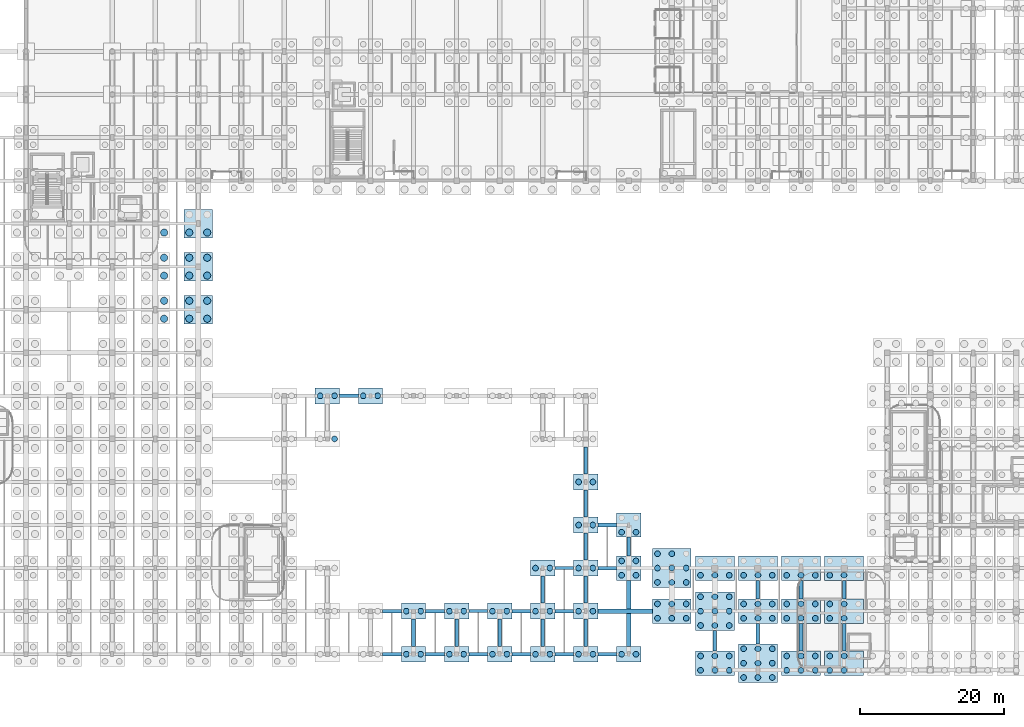
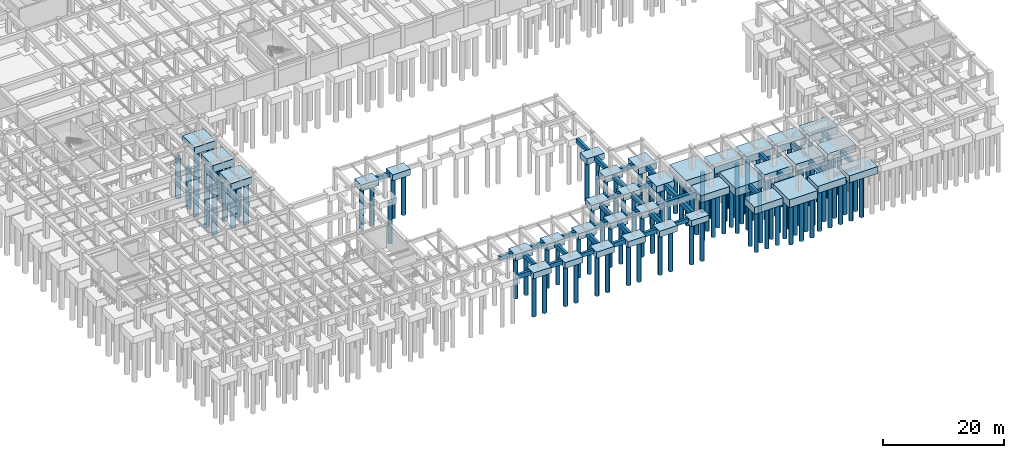
# One storey, part 3 of 32: 131 piles, 71 footings.
"""IFC4 building model written with IfcOpenShell, lengths in metres."""

from ifc_helpers import new_model, si_unit, direction, frame, origin, origin_2d, place, context, subcontext, project, spatial, rectangle, circle, extrude, material, material_profile, profile_set, type_object, element, save


model = new_model("IFC4")

# Units and contexts
model_context = context("Model", 3, precision=1e-05, world=origin(), true_north=direction((0.0, 1.0)))
body_context = subcontext(model_context, "Body", "Model", "MODEL_VIEW")
ifc_project = project(units=[si_unit("LENGTHUNIT", "METRE"), si_unit("AREAUNIT", "SQUARE_METRE"), si_unit("VOLUMEUNIT", "CUBIC_METRE"), si_unit("PLANEANGLEUNIT", "RADIAN"), si_unit("MASSUNIT", "GRAM", prefix="KILO")], contexts=[model_context])

# Site, building, storey
site_placement = place(None, origin())
site = spatial("IfcSite", under=ifc_project, at=site_placement, CompositionType="ELEMENT")
building_placement = place(site_placement, origin())
building = spatial("IfcBuilding", under=site, at=building_placement, Name="Varnakota Square Police Headquarters", CompositionType="ELEMENT")
storey_placement = place(building_placement, frame((0.0, 0.0, -4.5)))
storey = spatial("IfcBuildingStorey", under=building, at=storey_placement, Name="B1", CompositionType="ELEMENT", Elevation=-4.5)

# Footings
ifc_material_1 = material(Name="Concrete M40", Category="concrete")
ifc_material_profile_1 = material_profile(ifc_material_1, rectangle(XDim=0.5, YDim=0.89990234375, at=origin_2d()), Name="GB 500x900")
ifc_profile_set_1 = profile_set([ifc_material_profile_1], Name="Concrete M40")
footing_type_1 = type_object("IfcFootingType", Name="FT-GB1", PredefinedType="FOOTING_BEAM", material=ifc_profile_set_1)
for number, where, z_axis, x_axis, name in (
    (1, (67.699951171875, 3.0, -0.449951171875), (1.0, 0.0, 0.0), (0.0, 1.0, 0.0), "Ground tie beam GB-0010"),
    (2, (73.699951171875, 3.0, -0.449951171875), (1.0, 0.0, 0.0), (0.0, 1.0, 0.0), "Ground tie beam GB-0011"),
    (3, (85.699951171875, 3.0, -0.449951171875), (1.0, 0.0, 0.0), (0.0, 1.0, 0.0), "Ground tie beam GB-0013"),
    (4, (91.699951171875, 3.0, -0.449951171875), (1.0, 0.0, 0.0), (0.0, 1.0, 0.0), "Ground tie beam GB-0014"),
    (5, (67.699951171875, 9.0, -0.449951171875), (1.0, 0.0, 0.0), (0.0, 1.0, 0.0), "Ground tie beam GB-0025"),
    (6, (73.699951171875, 9.0, -0.449951171875), (1.0, 0.0, 0.0), (0.0, 1.0, 0.0), "Ground tie beam GB-0026"),
    (7, (85.699951171875, 9.0, -0.449951171875), (1.0, 0.0, 0.0), (0.0, 1.0, 0.0), "Ground tie beam GB-0028"),
    (8, (91.699951171875, 9.0, -0.449951171875), (1.0, 0.0, 0.0), (0.0, 1.0, 0.0), "Ground tie beam GB-0029"),
    (9, (97.699951171875, 15.0, -0.449951171875), (1.0, 0.0, 0.0), (0.0, 1.0, 0.0), "Ground tie beam GB-0040"),
    (10, (97.699951171875, 21.0, -0.449951171875), (1.0, 0.0, 0.0), (0.0, 1.0, 0.0), "Ground tie beam GB-0043"),
    (11, (61.699951171875, 39.0, -0.449951171875), (1.0, 0.0, 0.0), (0.0, 1.0, 0.0), "Ground tie beam GB-0050"),
):
    element("IfcFooting", number, at=place(storey_placement, frame(where, z_axis=z_axis, x_axis=x_axis)), inside=storey, type_object=footing_type_1, Name=name, PredefinedType="FOOTING_BEAM", context=body_context, shape_type="SweptSolid", body=[
        extrude(rectangle(XDim=0.5, YDim=0.89990234375, at=origin_2d()), origin(), (0.0, 0.0, 1.0), 2.60009765625),
    ])
for number, where, z_axis, x_axis, name in (
    (12, (72.0, 4.10009765625, -0.449951171875), (0.0, 1.0, 0.0), (-1.0, 0.0, 0.0), "Ground tie beam GB-0266"),
    (13, (78.0, 4.10009765625, -0.449951171875), (0.0, 1.0, 0.0), (-1.0, 0.0, 0.0), "Ground tie beam GB-0271"),
    (14, (84.0, 4.10009765625, -0.449951171875), (0.0, 1.0, 0.0), (-1.0, 0.0, 0.0), "Ground tie beam GB-0276"),
    (15, (90.0, 4.10009765625, -0.449951171875), (0.0, 1.0, 0.0), (-1.0, 0.0, 0.0), "Ground tie beam GB-0281"),
    (16, (90.0, 10.10009765625, -0.449951171875), (0.0, 1.0, 0.0), (-1.0, 0.0, 0.0), "Ground tie beam GB-0282"),
    (17, (96.0, 4.10009765625, -0.449951171875), (0.0, 1.0, 0.0), (-1.0, 0.0, 0.0), "Ground tie beam GB-0288"),
    (18, (96.0, 10.10009765625, -0.449951171875), (0.0, 1.0, 0.0), (-1.0, 0.0, 0.0), "Ground tie beam GB-0289"),
    (19, (96.0, 16.10009765625, -0.449951171875), (0.0, 1.0, 0.0), (-1.0, 0.0, 0.0), "Ground tie beam GB-0290"),
    (20, (96.0, 22.10009765625, -0.449951171875), (0.0, 1.0, 0.0), (-1.0, 0.0, 0.0), "Ground tie beam GB-0291"),
    (21, (96.0, 28.10009765625, -0.449951171875), (0.0, 1.0, 0.0), (-1.0, 0.0, 0.0), "Ground tie beam GB-0292"),
):
    element("IfcFooting", number, at=place(storey_placement, frame(where, z_axis=z_axis, x_axis=x_axis)), inside=storey, type_object=footing_type_1, Name=name, PredefinedType="FOOTING_BEAM", context=body_context, shape_type="SweptSolid", body=[
        extrude(rectangle(XDim=0.5, YDim=0.89990234375, at=origin_2d()), origin(), (0.0, 0.0, 1.0), 3.7998046875),
    ])
footing_1_placement = place(storey_placement, frame((102.0, 16.699951171875, -0.449951171875), z_axis=(0.0, 1.0, 0.0), x_axis=(-1.0, 0.0, 0.0)))
element("IfcFooting", 22, at=footing_1_placement, inside=storey, type_object=footing_type_1, Name="Ground tie beam GB-0298", PredefinedType="FOOTING_BEAM", context=body_context, shape_type="SweptSolid", body=[
    extrude(rectangle(XDim=0.5, YDim=0.89990234375, at=origin_2d()), origin(), (0.0, 0.0, 1.0), 2.60009765625),
])
for number, where, z_axis, x_axis, name in (
    (23, (114.0, 3.449951171875, -0.449951171875), (0.0, 1.0, 0.0), (-1.0, 0.0, 0.0), "Ground tie beam GB-0304"),
    (24, (120.0, 4.449951171875, -0.449951171875), (0.0, 1.0, 0.0), (-1.0, 0.0, 0.0), "Ground tie beam GB-0311"),
):
    element("IfcFooting", number, at=place(storey_placement, frame(where, z_axis=z_axis, x_axis=x_axis)), inside=storey, type_object=footing_type_1, Name=name, PredefinedType="FOOTING_BEAM", context=body_context, shape_type="SweptSolid", body=[
        extrude(rectangle(XDim=0.5, YDim=0.89990234375, at=origin_2d()), origin(), (0.0, 0.0, 1.0), 2.85009765625),
    ])
footing_2_placement = place(storey_placement, frame((120.0, 10.699951171875, -0.449951171875), z_axis=(0.0, 1.0, 0.0), x_axis=(-1.0, 0.0, 0.0)))
element("IfcFooting", 25, at=footing_2_placement, inside=storey, type_object=footing_type_1, Name="Ground tie beam GB-0312", PredefinedType="FOOTING_BEAM", context=body_context, shape_type="SweptSolid", body=[
    extrude(rectangle(XDim=0.5, YDim=0.89990234375, at=origin_2d()), origin(), (0.0, 0.0, 1.0), 2.60009765625),
])
footing_3_placement = place(storey_placement, frame((126.0, 3.449951171875, -0.449951171875), z_axis=(0.0, 1.0, 0.0), x_axis=(-1.0, 0.0, 0.0)))
element("IfcFooting", 26, at=footing_3_placement, inside=storey, type_object=footing_type_1, Name="Ground tie beam GB-0316", PredefinedType="FOOTING_BEAM", context=body_context, shape_type="SweptSolid", body=[
    extrude(rectangle(XDim=0.5, YDim=0.89990234375, at=origin_2d()), origin(), (0.0, 0.0, 1.0), 3.85009765625),
])
footing_4_placement = place(storey_placement, frame((126.0, 10.699951171875, -0.449951171875), z_axis=(0.0, 1.0, 0.0), x_axis=(-1.0, 0.0, 0.0)))
element("IfcFooting", 27, at=footing_4_placement, inside=storey, type_object=footing_type_1, Name="Ground tie beam GB-0317", PredefinedType="FOOTING_BEAM", context=body_context, shape_type="SweptSolid", body=[
    extrude(rectangle(XDim=0.5, YDim=0.89990234375, at=origin_2d()), origin(), (0.0, 0.0, 1.0), 2.60009765625),
])
footing_5_placement = place(storey_placement, frame((132.0, 3.449951171875, -0.449951171875), z_axis=(0.0, 1.0, 0.0), x_axis=(-1.0, 0.0, 0.0)))
element("IfcFooting", 28, at=footing_5_placement, inside=storey, type_object=footing_type_1, Name="Ground tie beam GB-0321", PredefinedType="FOOTING_BEAM", context=body_context, shape_type="SweptSolid", body=[
    extrude(rectangle(XDim=0.5, YDim=0.89990234375, at=origin_2d()), origin(), (0.0, 0.0, 1.0), 3.85009765625),
])
footing_6_placement = place(storey_placement, frame((132.0, 10.699951171875, -0.449951171875), z_axis=(0.0, 1.0, 0.0), x_axis=(-1.0, 0.0, 0.0)))
element("IfcFooting", 29, at=footing_6_placement, inside=storey, type_object=footing_type_1, Name="Ground tie beam GB-0322", PredefinedType="FOOTING_BEAM", context=body_context, shape_type="SweptSolid", body=[
    extrude(rectangle(XDim=0.5, YDim=0.89990234375, at=origin_2d()), origin(), (0.0, 0.0, 1.0), 2.60009765625),
])
ifc_material_profile_2 = material_profile(ifc_material_1, rectangle(XDim=0.60009765625, YDim=1.0, at=origin_2d()), Name="GB 600x1000")
ifc_profile_set_2 = profile_set([ifc_material_profile_2], Name="Concrete M40")
footing_type_2 = type_object("IfcFootingType", Name="FT-GB2", PredefinedType="FOOTING_BEAM", material=ifc_profile_set_2)
footing_7_placement = place(storey_placement, frame((97.699951171875, 9.0, -0.5), z_axis=(1.0, 0.0, 0.0), x_axis=(0.0, 1.0, 0.0)))
element("IfcFooting", 30, at=footing_7_placement, inside=storey, type_object=footing_type_2, Name="Ground tie beam GB-0030", PredefinedType="FOOTING_BEAM", context=body_context, shape_type="SweptSolid", body=[
    extrude(rectangle(XDim=0.60009765625, YDim=1.0, at=origin_2d()), origin(), (0.0, 0.0, 1.0), 7.60009765625),
])
footing_8_placement = place(storey_placement, frame((102.0, 4.10009765625, -0.5), z_axis=(0.0, 1.0, 0.0), x_axis=(-1.0, 0.0, 0.0)))
element("IfcFooting", 31, at=footing_8_placement, inside=storey, type_object=footing_type_2, Name="Ground tie beam GB-0297", PredefinedType="FOOTING_BEAM", context=body_context, shape_type="SweptSolid", body=[
    extrude(rectangle(XDim=0.60009765625, YDim=1.0, at=origin_2d()), origin(), (0.0, 0.0, 1.0), 9.199951171875),
])
ifc_material_profile_3 = material_profile(ifc_material_1, rectangle(XDim=0.449951171875, YDim=0.800048828125, at=origin_2d()), Name="GB 450x800")
ifc_profile_set_3 = profile_set([ifc_material_profile_3], Name="Concrete M40")
footing_type_3 = type_object("IfcFootingType", Name="FT-GB3", PredefinedType="FOOTING_BEAM", material=ifc_profile_set_3)
for number, where, z_axis, x_axis, name in (
    (32, (79.699951171875, 3.0, -0.39990234375), (1.0, 0.0, 0.0), (0.0, 1.0, 0.0), "Ground tie beam GB-0012"),
    (33, (97.699951171875, 3.0, -0.39990234375), (1.0, 0.0, 0.0), (0.0, 1.0, 0.0), "Ground tie beam GB-0015"),
    (34, (79.699951171875, 9.0, -0.39990234375), (1.0, 0.0, 0.0), (0.0, 1.0, 0.0), "Ground tie beam GB-0027"),
    (35, (91.699951171875, 15.0, -0.39990234375), (1.0, 0.0, 0.0), (0.0, 1.0, 0.0), "Ground tie beam GB-0039"),
):
    element("IfcFooting", number, at=place(storey_placement, frame(where, z_axis=z_axis, x_axis=x_axis)), inside=storey, type_object=footing_type_3, Name=name, PredefinedType="FOOTING_BEAM", context=body_context, shape_type="SweptSolid", body=[
        extrude(rectangle(XDim=0.449951171875, YDim=0.800048828125, at=origin_2d()), origin(), (0.0, 0.0, 1.0), 2.60009765625),
    ])
footing_type_4 = type_object("IfcFootingType", Name="FT-PC2", PredefinedType="PILE_CAP", material=ifc_material_1)
for number, where, z_axis, x_axis, name in (
    (36, (60.0, 39.0, -1.2001953125), (0.0, 0.0, 1.0), (1.0, 0.0, 0.0), "Pile cap CAP-X0600-Y0390"),
    (37, (66.0, 39.0, -1.2001953125), (0.0, 0.0, 1.0), (1.0, 0.0, 0.0), "Pile cap CAP-X0660-Y0390"),
    (38, (72.0, 3.0, -1.2001953125), (0.0, 0.0, 1.0), (1.0, 0.0, 0.0), "Pile cap CAP-X0720-Y0030"),
    (39, (72.0, 9.0, -1.2001953125), (0.0, 0.0, 1.0), (1.0, 0.0, 0.0), "Pile cap CAP-X0720-Y0090"),
    (40, (78.0, 3.0, -1.2001953125), (0.0, 0.0, 1.0), (1.0, 0.0, 0.0), "Pile cap CAP-X0780-Y0030"),
    (41, (78.0, 9.0, -1.2001953125), (0.0, 0.0, 1.0), (1.0, 0.0, 0.0), "Pile cap CAP-X0780-Y0090"),
    (42, (84.0, 3.0, -1.2001953125), (0.0, 0.0, 1.0), (1.0, 0.0, 0.0), "Pile cap CAP-X0840-Y0030"),
    (43, (84.0, 9.0, -1.2001953125), (0.0, 0.0, 1.0), (1.0, 0.0, 0.0), "Pile cap CAP-X0840-Y0090"),
    (44, (90.0, 3.0, -1.2001953125), (0.0, 0.0, 1.0), (1.0, 0.0, 0.0), "Pile cap CAP-X0900-Y0030"),
    (45, (90.0, 9.0, -1.2001953125), (0.0, 0.0, 1.0), (1.0, 0.0, 0.0), "Pile cap CAP-X0900-Y0090"),
    (46, (90.0, 15.0, -1.2001953125), (0.0, 0.0, 1.0), (1.0, 0.0, 0.0), "Pile cap CAP-X0900-Y0150"),
    (47, (96.0, 3.0, -1.2001953125), (0.0, 0.0, 1.0), (1.0, 0.0, 0.0), "Pile cap CAP-X0960-Y0030"),
    (48, (96.0, 9.0, -1.2001953125), (0.0, 0.0, 1.0), (1.0, 0.0, 0.0), "Pile cap CAP-X0960-Y0090"),
    (49, (96.0, 15.0, -1.2001953125), (0.0, 0.0, 1.0), (1.0, 0.0, 0.0), "Pile cap CAP-X0960-Y0150"),
    (50, (96.0, 21.0, -1.2001953125), (0.0, 0.0, 1.0), (1.0, 0.0, 0.0), "Pile cap CAP-X0960-Y0210"),
    (51, (96.0, 27.0, -1.2001953125), (0.0, 0.0, 1.0), (1.0, 0.0, 0.0), "Pile cap CAP-X0960-Y0270"),
    (52, (102.0, 3.0, -1.2001953125), (0.0, 0.0, 1.0), (1.0, 0.0, 0.0), "Pile cap CAP-X1020-Y0030"),
):
    element("IfcFooting", number, at=place(storey_placement, frame(where, z_axis=z_axis, x_axis=x_axis)), inside=storey, type_object=footing_type_4, Name=name, PredefinedType="PILE_CAP", context=body_context, shape_type="SweptSolid", body=[
        extrude(rectangle(XDim=3.39990234375, YDim=2.199951171875, at=origin_2d()), origin(), (0.0, 0.0, 1.0), 1.199951171875),
    ])
footing_type_5 = type_object("IfcFootingType", Name="FT-PC4", PredefinedType="PILE_CAP", material=ifc_material_1)
for number, where, z_axis, x_axis, name in (
    (53, (102.0, 15.0, -1.2998046875), (0.0, 0.0, 1.0), (1.0, 0.0, 0.0), "Pile cap CAP-X1020-Y0150"),
    (54, (102.0, 21.0, -1.2998046875), (0.0, 0.0, 1.0), (1.0, 0.0, 0.0), "Pile cap CAP-X1020-Y0210"),
):
    element("IfcFooting", number, at=place(storey_placement, frame(where, z_axis=z_axis, x_axis=x_axis)), inside=storey, type_object=footing_type_5, Name=name, PredefinedType="PILE_CAP", context=body_context, shape_type="SweptSolid", body=[
        extrude(rectangle(XDim=3.39990234375, YDim=3.39990234375, at=origin_2d()), origin(), (0.0, 0.0, 1.0), 1.300048828125),
    ])
ifc_material_2 = material(Name="Concrete M50", Category="concrete")
footing_type_6 = type_object("IfcFootingType", Name="FT-PC6", PredefinedType="PILE_CAP", material=ifc_material_2)
for number, where, z_axis, x_axis, name in (
    (55, (42.0, 51.0, -1.39990234375), (0.0, 0.0, 1.0), (1.0, 0.0, 0.0), "Pile cap CAP-X0420-Y0510"),
    (56, (42.0, 57.0, -1.39990234375), (0.0, 0.0, 1.0), (1.0, 0.0, 0.0), "Pile cap CAP-X0420-Y0570"),
    (57, (42.0, 63.0, -1.39990234375), (0.0, 0.0, 1.0), (1.0, 0.0, 0.0), "Pile cap CAP-X0420-Y0630"),
):
    element("IfcFooting", number, at=place(storey_placement, frame(where, z_axis=z_axis, x_axis=x_axis)), inside=storey, type_object=footing_type_6, Name=name, PredefinedType="PILE_CAP", context=body_context, shape_type="SweptSolid", body=[
        extrude(rectangle(XDim=4.0, YDim=4.0, at=origin_2d()), origin(), (0.0, 0.0, 1.0), 1.39990234375),
    ])
footing_type_7 = type_object("IfcFootingType", Name="FT-PC7", PredefinedType="PILE_CAP", material=ifc_material_2)
for number, where, z_axis, x_axis, name in (
    (58, (108.0, 9.0, -1.39990234375), (0.0, 0.0, 1.0), (1.0, 0.0, 0.0), "Pile cap CAP-X1080-Y0090"),
    (59, (114.0, 1.75, -1.39990234375), (0.0, 0.0, 1.0), (1.0, 0.0, 0.0), "Pile cap CAP-X1140-Y0008"),
    (60, (114.0, 15.0, -1.39990234375), (0.0, 0.0, 1.0), (1.0, 0.0, 0.0), "Pile cap CAP-X1140-Y0150"),
    (61, (120.0, 9.0, -1.39990234375), (0.0, 0.0, 1.0), (1.0, 0.0, 0.0), "Pile cap CAP-X1200-Y0090"),
    (62, (120.0, 15.0, -1.39990234375), (0.0, 0.0, 1.0), (1.0, 0.0, 0.0), "Pile cap CAP-X1200-Y0150"),
    (63, (126.0, 1.75, -1.39990234375), (0.0, 0.0, 1.0), (1.0, 0.0, 0.0), "Pile cap CAP-X1260-Y0008"),
    (64, (126.0, 9.0, -1.39990234375), (0.0, 0.0, 1.0), (1.0, 0.0, 0.0), "Pile cap CAP-X1260-Y0090"),
    (65, (126.0, 15.0, -1.39990234375), (0.0, 0.0, 1.0), (1.0, 0.0, 0.0), "Pile cap CAP-X1260-Y0150"),
    (66, (132.0, 1.75, -1.39990234375), (0.0, 0.0, 1.0), (1.0, 0.0, 0.0), "Pile cap CAP-X1320-Y0008"),
    (67, (132.0, 9.0, -1.39990234375), (0.0, 0.0, 1.0), (1.0, 0.0, 0.0), "Pile cap CAP-X1320-Y0090"),
    (68, (132.0, 15.0, -1.39990234375), (0.0, 0.0, 1.0), (1.0, 0.0, 0.0), "Pile cap CAP-X1320-Y0150"),
):
    element("IfcFooting", number, at=place(storey_placement, frame(where, z_axis=z_axis, x_axis=x_axis)), inside=storey, type_object=footing_type_7, Name=name, PredefinedType="PILE_CAP", context=body_context, shape_type="SweptSolid", body=[
        extrude(rectangle(XDim=5.39990234375, YDim=3.39990234375, at=origin_2d()), origin(), (0.0, 0.0, 1.0), 1.39990234375),
    ])
footing_type_8 = type_object("IfcFootingType", Name="FT-PC9", PredefinedType="PILE_CAP", material=ifc_material_2)
for number, where, z_axis, x_axis, name in (
    (69, (108.0, 15.0, -1.60009765625), (0.0, 0.0, 1.0), (1.0, 0.0, 0.0), "Pile cap CAP-X1080-Y0150"),
    (70, (114.0, 9.0, -1.60009765625), (0.0, 0.0, 1.0), (1.0, 0.0, 0.0), "Pile cap CAP-X1140-Y0090"),
    (71, (120.0, 1.75, -1.60009765625), (0.0, 0.0, 1.0), (1.0, 0.0, 0.0), "Pile cap CAP-X1200-Y0008"),
):
    element("IfcFooting", number, at=place(storey_placement, frame(where, z_axis=z_axis, x_axis=x_axis)), inside=storey, type_object=footing_type_8, Name=name, PredefinedType="PILE_CAP", context=body_context, shape_type="SweptSolid", body=[
        extrude(rectangle(XDim=5.39990234375, YDim=5.39990234375, at=origin_2d()), origin(), (0.0, 0.0, 1.0), 1.60009765625),
    ])

# Piles
ifc_material_profile_4 = material_profile(ifc_material_2, circle(Radius=0.5, at=origin_2d()), Name="BORED PILE 1000")
ifc_profile_set_4 = profile_set([ifc_material_profile_4], Name="Concrete M50")
pile_type_1 = type_object("IfcPileType", Name="PILE-D1000", PredefinedType="BORED", material=ifc_profile_set_4)
for number, where, z_axis, x_axis, name in (
    (72, (37.25, 49.75, -1.300048828125), (0.0, 0.0, -1.0), (1.0, 0.0, 0.0), "Bored pile PLG-0321"),
    (73, (37.25, 52.25, -1.300048828125), (0.0, 0.0, -1.0), (1.0, 0.0, 0.0), "Bored pile PLG-0322"),
    (74, (37.25, 55.75, -1.300048828125), (0.0, 0.0, -1.0), (1.0, 0.0, 0.0), "Bored pile PLG-0325"),
    (75, (37.25, 58.25, -1.300048828125), (0.0, 0.0, -1.0), (1.0, 0.0, 0.0), "Bored pile PLG-0326"),
    (76, (37.25, 61.75, -1.300048828125), (0.0, 0.0, -1.0), (1.0, 0.0, 0.0), "Bored pile PLG-0329"),
    (77, (40.75, 49.75, -1.300048828125), (0.0, 0.0, -1.0), (1.0, 0.0, 0.0), "Bored pile PLG-0378"),
    (78, (40.75, 52.25, -1.300048828125), (0.0, 0.0, -1.0), (1.0, 0.0, 0.0), "Bored pile PLG-0379"),
    (79, (43.25, 49.75, -1.300048828125), (0.0, 0.0, -1.0), (1.0, 0.0, 0.0), "Bored pile PLG-0380"),
    (80, (43.25, 52.25, -1.300048828125), (0.0, 0.0, -1.0), (1.0, 0.0, 0.0), "Bored pile PLG-0381"),
    (81, (40.75, 55.75, -1.300048828125), (0.0, 0.0, -1.0), (1.0, 0.0, 0.0), "Bored pile PLG-0382"),
    (82, (40.75, 58.25, -1.300048828125), (0.0, 0.0, -1.0), (1.0, 0.0, 0.0), "Bored pile PLG-0383"),
    (83, (43.25, 55.75, -1.300048828125), (0.0, 0.0, -1.0), (1.0, 0.0, 0.0), "Bored pile PLG-0384"),
    (84, (43.25, 58.25, -1.300048828125), (0.0, 0.0, -1.0), (1.0, 0.0, 0.0), "Bored pile PLG-0385"),
    (85, (40.75, 61.75, -1.300048828125), (0.0, 0.0, -1.0), (1.0, 0.0, 0.0), "Bored pile PLG-0386"),
    (86, (43.25, 61.75, -1.300048828125), (0.0, 0.0, -1.0), (1.0, 0.0, 0.0), "Bored pile PLG-0388"),
):
    element("IfcPile", number, at=place(storey_placement, frame(where, z_axis=z_axis, x_axis=x_axis)), inside=storey, type_object=pile_type_1, Name=name, PredefinedType="BORED", context=body_context, shape_type="SweptSolid", body=[
        extrude(circle(Radius=0.5, at=origin_2d()), origin(), (0.0, 0.0, 1.0), 8.199951171875),
    ])
ifc_material_profile_5 = material_profile(ifc_material_1, circle(Radius=0.39990234375, at=origin_2d()), Name="BORED PILE 800")
ifc_profile_set_5 = profile_set([ifc_material_profile_5], Name="Concrete M40")
pile_type_2 = type_object("IfcPileType", Name="PILE-D800", PredefinedType="BORED", material=ifc_profile_set_5)
for number, where, z_axis, x_axis, name in (
    (87, (61.0, 33.0, -1.10009765625), (0.0, 0.0, -1.0), (1.0, 0.0, 0.0), "Bored pile PLG-0497"),
    (88, (59.0, 39.0, -1.10009765625), (0.0, 0.0, -1.0), (1.0, 0.0, 0.0), "Bored pile PLG-0498"),
    (89, (61.0, 39.0, -1.10009765625), (0.0, 0.0, -1.0), (1.0, 0.0, 0.0), "Bored pile PLG-0499"),
    (90, (65.0, 39.0, -1.10009765625), (0.0, 0.0, -1.0), (1.0, 0.0, 0.0), "Bored pile PLG-0521"),
    (91, (67.0, 39.0, -1.10009765625), (0.0, 0.0, -1.0), (1.0, 0.0, 0.0), "Bored pile PLG-0522"),
    (92, (71.0, 3.0, -1.10009765625), (0.0, 0.0, -1.0), (1.0, 0.0, 0.0), "Bored pile PLG-0540"),
    (93, (73.0, 3.0, -1.10009765625), (0.0, 0.0, -1.0), (1.0, 0.0, 0.0), "Bored pile PLG-0541"),
    (94, (71.0, 9.0, -1.10009765625), (0.0, 0.0, -1.0), (1.0, 0.0, 0.0), "Bored pile PLG-0542"),
    (95, (73.0, 9.0, -1.10009765625), (0.0, 0.0, -1.0), (1.0, 0.0, 0.0), "Bored pile PLG-0543"),
    (96, (77.0, 3.0, -1.10009765625), (0.0, 0.0, -1.0), (1.0, 0.0, 0.0), "Bored pile PLG-0563"),
    (97, (79.0, 3.0, -1.10009765625), (0.0, 0.0, -1.0), (1.0, 0.0, 0.0), "Bored pile PLG-0564"),
    (98, (77.0, 9.0, -1.10009765625), (0.0, 0.0, -1.0), (1.0, 0.0, 0.0), "Bored pile PLG-0565"),
    (99, (79.0, 9.0, -1.10009765625), (0.0, 0.0, -1.0), (1.0, 0.0, 0.0), "Bored pile PLG-0566"),
    (100, (83.0, 3.0, -1.10009765625), (0.0, 0.0, -1.0), (1.0, 0.0, 0.0), "Bored pile PLG-0586"),
    (101, (85.0, 3.0, -1.10009765625), (0.0, 0.0, -1.0), (1.0, 0.0, 0.0), "Bored pile PLG-0587"),
    (102, (83.0, 9.0, -1.10009765625), (0.0, 0.0, -1.0), (1.0, 0.0, 0.0), "Bored pile PLG-0588"),
    (103, (85.0, 9.0, -1.10009765625), (0.0, 0.0, -1.0), (1.0, 0.0, 0.0), "Bored pile PLG-0589"),
    (104, (89.0, 3.0, -1.10009765625), (0.0, 0.0, -1.0), (1.0, 0.0, 0.0), "Bored pile PLG-0609"),
    (105, (91.0, 3.0, -1.10009765625), (0.0, 0.0, -1.0), (1.0, 0.0, 0.0), "Bored pile PLG-0610"),
    (106, (89.0, 9.0, -1.10009765625), (0.0, 0.0, -1.0), (1.0, 0.0, 0.0), "Bored pile PLG-0611"),
    (107, (91.0, 9.0, -1.10009765625), (0.0, 0.0, -1.0), (1.0, 0.0, 0.0), "Bored pile PLG-0612"),
    (108, (89.0, 15.0, -1.10009765625), (0.0, 0.0, -1.0), (1.0, 0.0, 0.0), "Bored pile PLG-0613"),
    (109, (91.0, 15.0, -1.10009765625), (0.0, 0.0, -1.0), (1.0, 0.0, 0.0), "Bored pile PLG-0614"),
    (110, (95.0, 3.0, -1.10009765625), (0.0, 0.0, -1.0), (1.0, 0.0, 0.0), "Bored pile PLG-0636"),
    (111, (97.0, 3.0, -1.10009765625), (0.0, 0.0, -1.0), (1.0, 0.0, 0.0), "Bored pile PLG-0637"),
    (112, (95.0, 9.0, -1.10009765625), (0.0, 0.0, -1.0), (1.0, 0.0, 0.0), "Bored pile PLG-0638"),
    (113, (97.0, 9.0, -1.10009765625), (0.0, 0.0, -1.0), (1.0, 0.0, 0.0), "Bored pile PLG-0639"),
    (114, (95.0, 15.0, -1.10009765625), (0.0, 0.0, -1.0), (1.0, 0.0, 0.0), "Bored pile PLG-0640"),
    (115, (97.0, 15.0, -1.10009765625), (0.0, 0.0, -1.0), (1.0, 0.0, 0.0), "Bored pile PLG-0641"),
    (116, (95.0, 21.0, -1.10009765625), (0.0, 0.0, -1.0), (1.0, 0.0, 0.0), "Bored pile PLG-0642"),
    (117, (97.0, 21.0, -1.10009765625), (0.0, 0.0, -1.0), (1.0, 0.0, 0.0), "Bored pile PLG-0643"),
    (118, (95.0, 27.0, -1.10009765625), (0.0, 0.0, -1.0), (1.0, 0.0, 0.0), "Bored pile PLG-0644"),
    (119, (97.0, 27.0, -1.10009765625), (0.0, 0.0, -1.0), (1.0, 0.0, 0.0), "Bored pile PLG-0645"),
    (120, (101.0, 3.0, -1.10009765625), (0.0, 0.0, -1.0), (1.0, 0.0, 0.0), "Bored pile PLG-0670"),
    (121, (103.0, 3.0, -1.10009765625), (0.0, 0.0, -1.0), (1.0, 0.0, 0.0), "Bored pile PLG-0671"),
):
    element("IfcPile", number, at=place(storey_placement, frame(where, z_axis=z_axis, x_axis=x_axis)), inside=storey, type_object=pile_type_2, Name=name, PredefinedType="BORED", context=body_context, shape_type="SweptSolid", body=[
        extrude(circle(Radius=0.39990234375, at=origin_2d()), origin(), (0.0, 0.0, 1.0), 8.39990234375),
    ])
for number, where, z_axis, x_axis, name in (
    (122, (101.0, 14.0, -1.199951171875), (0.0, 0.0, -1.0), (1.0, 0.0, 0.0), "Bored pile PLG-0672"),
    (123, (101.0, 16.0, -1.199951171875), (0.0, 0.0, -1.0), (1.0, 0.0, 0.0), "Bored pile PLG-0673"),
    (124, (103.0, 14.0, -1.199951171875), (0.0, 0.0, -1.0), (1.0, 0.0, 0.0), "Bored pile PLG-0674"),
    (125, (103.0, 16.0, -1.199951171875), (0.0, 0.0, -1.0), (1.0, 0.0, 0.0), "Bored pile PLG-0675"),
    (126, (101.0, 20.0, -1.199951171875), (0.0, 0.0, -1.0), (1.0, 0.0, 0.0), "Bored pile PLG-0676"),
    (127, (103.0, 20.0, -1.199951171875), (0.0, 0.0, -1.0), (1.0, 0.0, 0.0), "Bored pile PLG-0678"),
):
    element("IfcPile", number, at=place(storey_placement, frame(where, z_axis=z_axis, x_axis=x_axis)), inside=storey, type_object=pile_type_2, Name=name, PredefinedType="BORED", context=body_context, shape_type="SweptSolid", body=[
        extrude(circle(Radius=0.39990234375, at=origin_2d()), origin(), (0.0, 0.0, 1.0), 8.300048828125),
    ])
for number, where, z_axis, x_axis, name in (
    (128, (106.0, 8.0, -1.300048828125), (0.0, 0.0, -1.0), (1.0, 0.0, 0.0), "Bored pile PLG-0688"),
    (129, (106.0, 10.0, -1.300048828125), (0.0, 0.0, -1.0), (1.0, 0.0, 0.0), "Bored pile PLG-0689"),
    (130, (108.0, 8.0, -1.300048828125), (0.0, 0.0, -1.0), (1.0, 0.0, 0.0), "Bored pile PLG-0690"),
    (131, (108.0, 10.0, -1.300048828125), (0.0, 0.0, -1.0), (1.0, 0.0, 0.0), "Bored pile PLG-0691"),
    (132, (110.0, 8.0, -1.300048828125), (0.0, 0.0, -1.0), (1.0, 0.0, 0.0), "Bored pile PLG-0692"),
    (133, (110.0, 10.0, -1.300048828125), (0.0, 0.0, -1.0), (1.0, 0.0, 0.0), "Bored pile PLG-0693"),
):
    element("IfcPile", number, at=place(storey_placement, frame(where, z_axis=z_axis, x_axis=x_axis)), inside=storey, type_object=pile_type_2, Name=name, PredefinedType="BORED", context=body_context, shape_type="SweptSolid", body=[
        extrude(circle(Radius=0.39990234375, at=origin_2d()), origin(), (0.0, 0.0, 1.0), 8.199951171875),
    ])
for number, where, z_axis, x_axis, name in (
    (134, (106.0, 13.0, -1.5), (0.0, 0.0, -1.0), (1.0, 0.0, 0.0), "Bored pile PLG-0694"),
    (135, (106.0, 15.0, -1.5), (0.0, 0.0, -1.0), (1.0, 0.0, 0.0), "Bored pile PLG-0695"),
    (136, (106.0, 17.0, -1.5), (0.0, 0.0, -1.0), (1.0, 0.0, 0.0), "Bored pile PLG-0696"),
    (137, (108.0, 13.0, -1.5), (0.0, 0.0, -1.0), (1.0, 0.0, 0.0), "Bored pile PLG-0697"),
    (138, (108.0, 15.0, -1.5), (0.0, 0.0, -1.0), (1.0, 0.0, 0.0), "Bored pile PLG-0698"),
    (139, (108.0, 17.0, -1.5), (0.0, 0.0, -1.0), (1.0, 0.0, 0.0), "Bored pile PLG-0699"),
    (140, (110.0, 13.0, -1.5), (0.0, 0.0, -1.0), (1.0, 0.0, 0.0), "Bored pile PLG-0700"),
    (141, (110.0, 15.0, -1.5), (0.0, 0.0, -1.0), (1.0, 0.0, 0.0), "Bored pile PLG-0701"),
):
    element("IfcPile", number, at=place(storey_placement, frame(where, z_axis=z_axis, x_axis=x_axis)), inside=storey, type_object=pile_type_2, Name=name, PredefinedType="BORED", context=body_context, shape_type="SweptSolid", body=[
        extrude(circle(Radius=0.39990234375, at=origin_2d()), origin(), (0.0, 0.0, 1.0), 8.0),
    ])
for number, where, z_axis, x_axis, name in (
    (142, (112.0, 0.75, -1.300048828125), (0.0, 0.0, -1.0), (1.0, 0.0, 0.0), "Bored pile PLG-0731"),
    (143, (112.0, 2.75, -1.300048828125), (0.0, 0.0, -1.0), (1.0, 0.0, 0.0), "Bored pile PLG-0732"),
    (144, (114.0, 0.75, -1.300048828125), (0.0, 0.0, -1.0), (1.0, 0.0, 0.0), "Bored pile PLG-0733"),
    (145, (114.0, 2.75, -1.300048828125), (0.0, 0.0, -1.0), (1.0, 0.0, 0.0), "Bored pile PLG-0734"),
    (146, (116.0, 0.75, -1.300048828125), (0.0, 0.0, -1.0), (1.0, 0.0, 0.0), "Bored pile PLG-0735"),
    (147, (116.0, 2.75, -1.300048828125), (0.0, 0.0, -1.0), (1.0, 0.0, 0.0), "Bored pile PLG-0736"),
):
    element("IfcPile", number, at=place(storey_placement, frame(where, z_axis=z_axis, x_axis=x_axis)), inside=storey, type_object=pile_type_2, Name=name, PredefinedType="BORED", context=body_context, shape_type="SweptSolid", body=[
        extrude(circle(Radius=0.39990234375, at=origin_2d()), origin(), (0.0, 0.0, 1.0), 8.199951171875),
    ])
for number, where, z_axis, x_axis, name in (
    (148, (112.0, 7.0, -1.5), (0.0, 0.0, -1.0), (1.0, 0.0, 0.0), "Bored pile PLG-0737"),
    (149, (112.0, 9.0, -1.5), (0.0, 0.0, -1.0), (1.0, 0.0, 0.0), "Bored pile PLG-0738"),
    (150, (112.0, 11.0, -1.5), (0.0, 0.0, -1.0), (1.0, 0.0, 0.0), "Bored pile PLG-0739"),
    (151, (114.0, 7.0, -1.5), (0.0, 0.0, -1.0), (1.0, 0.0, 0.0), "Bored pile PLG-0740"),
    (152, (114.0, 9.0, -1.5), (0.0, 0.0, -1.0), (1.0, 0.0, 0.0), "Bored pile PLG-0741"),
    (153, (114.0, 11.0, -1.5), (0.0, 0.0, -1.0), (1.0, 0.0, 0.0), "Bored pile PLG-0742"),
    (154, (116.0, 7.0, -1.5), (0.0, 0.0, -1.0), (1.0, 0.0, 0.0), "Bored pile PLG-0743"),
    (155, (116.0, 9.0, -1.5), (0.0, 0.0, -1.0), (1.0, 0.0, 0.0), "Bored pile PLG-0744"),
    (156, (116.0, 11.0, -1.5), (0.0, 0.0, -1.0), (1.0, 0.0, 0.0), "Bored pile PLG-0745"),
):
    element("IfcPile", number, at=place(storey_placement, frame(where, z_axis=z_axis, x_axis=x_axis)), inside=storey, type_object=pile_type_2, Name=name, PredefinedType="BORED", context=body_context, shape_type="SweptSolid", body=[
        extrude(circle(Radius=0.39990234375, at=origin_2d()), origin(), (0.0, 0.0, 1.0), 8.0),
    ])
for number, where, z_axis, x_axis, name in (
    (157, (112.0, 14.0, -1.300048828125), (0.0, 0.0, -1.0), (1.0, 0.0, 0.0), "Bored pile PLG-0746"),
    (158, (114.0, 14.0, -1.300048828125), (0.0, 0.0, -1.0), (1.0, 0.0, 0.0), "Bored pile PLG-0748"),
    (159, (116.0, 14.0, -1.300048828125), (0.0, 0.0, -1.0), (1.0, 0.0, 0.0), "Bored pile PLG-0750"),
):
    element("IfcPile", number, at=place(storey_placement, frame(where, z_axis=z_axis, x_axis=x_axis)), inside=storey, type_object=pile_type_2, Name=name, PredefinedType="BORED", context=body_context, shape_type="SweptSolid", body=[
        extrude(circle(Radius=0.39990234375, at=origin_2d()), origin(), (0.0, 0.0, 1.0), 8.199951171875),
    ])
for number, where, z_axis, x_axis, name in (
    (160, (118.0, -0.25, -1.5), (0.0, 0.0, -1.0), (1.0, 0.0, 0.0), "Bored pile PLG-0784"),
    (161, (118.0, 1.75, -1.5), (0.0, 0.0, -1.0), (1.0, 0.0, 0.0), "Bored pile PLG-0785"),
    (162, (118.0, 3.75, -1.5), (0.0, 0.0, -1.0), (1.0, 0.0, 0.0), "Bored pile PLG-0786"),
    (163, (120.0, -0.25, -1.5), (0.0, 0.0, -1.0), (1.0, 0.0, 0.0), "Bored pile PLG-0787"),
    (164, (120.0, 1.75, -1.5), (0.0, 0.0, -1.0), (1.0, 0.0, 0.0), "Bored pile PLG-0788"),
    (165, (120.0, 3.75, -1.5), (0.0, 0.0, -1.0), (1.0, 0.0, 0.0), "Bored pile PLG-0789"),
    (166, (122.0, -0.25, -1.5), (0.0, 0.0, -1.0), (1.0, 0.0, 0.0), "Bored pile PLG-0790"),
    (167, (122.0, 1.75, -1.5), (0.0, 0.0, -1.0), (1.0, 0.0, 0.0), "Bored pile PLG-0791"),
    (168, (122.0, 3.75, -1.5), (0.0, 0.0, -1.0), (1.0, 0.0, 0.0), "Bored pile PLG-0792"),
):
    element("IfcPile", number, at=place(storey_placement, frame(where, z_axis=z_axis, x_axis=x_axis)), inside=storey, type_object=pile_type_2, Name=name, PredefinedType="BORED", context=body_context, shape_type="SweptSolid", body=[
        extrude(circle(Radius=0.39990234375, at=origin_2d()), origin(), (0.0, 0.0, 1.0), 8.0),
    ])
for number, where, z_axis, x_axis, name in (
    (169, (118.0, 8.0, -1.300048828125), (0.0, 0.0, -1.0), (1.0, 0.0, 0.0), "Bored pile PLG-0793"),
    (170, (118.0, 10.0, -1.300048828125), (0.0, 0.0, -1.0), (1.0, 0.0, 0.0), "Bored pile PLG-0794"),
    (171, (120.0, 8.0, -1.300048828125), (0.0, 0.0, -1.0), (1.0, 0.0, 0.0), "Bored pile PLG-0795"),
    (172, (120.0, 10.0, -1.300048828125), (0.0, 0.0, -1.0), (1.0, 0.0, 0.0), "Bored pile PLG-0796"),
    (173, (122.0, 8.0, -1.300048828125), (0.0, 0.0, -1.0), (1.0, 0.0, 0.0), "Bored pile PLG-0797"),
    (174, (122.0, 10.0, -1.300048828125), (0.0, 0.0, -1.0), (1.0, 0.0, 0.0), "Bored pile PLG-0798"),
    (175, (118.0, 14.0, -1.300048828125), (0.0, 0.0, -1.0), (1.0, 0.0, 0.0), "Bored pile PLG-0799"),
    (176, (120.0, 14.0, -1.300048828125), (0.0, 0.0, -1.0), (1.0, 0.0, 0.0), "Bored pile PLG-0801"),
    (177, (122.0, 14.0, -1.300048828125), (0.0, 0.0, -1.0), (1.0, 0.0, 0.0), "Bored pile PLG-0803"),
    (178, (124.0, 0.75, -1.300048828125), (0.0, 0.0, -1.0), (1.0, 0.0, 0.0), "Bored pile PLG-0829"),
    (179, (124.0, 2.75, -1.300048828125), (0.0, 0.0, -1.0), (1.0, 0.0, 0.0), "Bored pile PLG-0830"),
    (180, (126.0, 0.75, -1.300048828125), (0.0, 0.0, -1.0), (1.0, 0.0, 0.0), "Bored pile PLG-0831"),
    (181, (126.0, 2.75, -1.300048828125), (0.0, 0.0, -1.0), (1.0, 0.0, 0.0), "Bored pile PLG-0832"),
    (182, (128.0, 0.75, -1.300048828125), (0.0, 0.0, -1.0), (1.0, 0.0, 0.0), "Bored pile PLG-0833"),
    (183, (128.0, 2.75, -1.300048828125), (0.0, 0.0, -1.0), (1.0, 0.0, 0.0), "Bored pile PLG-0834"),
    (184, (124.0, 8.0, -1.300048828125), (0.0, 0.0, -1.0), (1.0, 0.0, 0.0), "Bored pile PLG-0835"),
    (185, (124.0, 10.0, -1.300048828125), (0.0, 0.0, -1.0), (1.0, 0.0, 0.0), "Bored pile PLG-0836"),
    (186, (126.0, 8.0, -1.300048828125), (0.0, 0.0, -1.0), (1.0, 0.0, 0.0), "Bored pile PLG-0837"),
    (187, (126.0, 10.0, -1.300048828125), (0.0, 0.0, -1.0), (1.0, 0.0, 0.0), "Bored pile PLG-0838"),
    (188, (128.0, 8.0, -1.300048828125), (0.0, 0.0, -1.0), (1.0, 0.0, 0.0), "Bored pile PLG-0839"),
    (189, (128.0, 10.0, -1.300048828125), (0.0, 0.0, -1.0), (1.0, 0.0, 0.0), "Bored pile PLG-0840"),
    (190, (124.0, 14.0, -1.300048828125), (0.0, 0.0, -1.0), (1.0, 0.0, 0.0), "Bored pile PLG-0841"),
    (191, (126.0, 14.0, -1.300048828125), (0.0, 0.0, -1.0), (1.0, 0.0, 0.0), "Bored pile PLG-0843"),
    (192, (128.0, 14.0, -1.300048828125), (0.0, 0.0, -1.0), (1.0, 0.0, 0.0), "Bored pile PLG-0845"),
    (193, (130.0, 0.75, -1.300048828125), (0.0, 0.0, -1.0), (1.0, 0.0, 0.0), "Bored pile PLG-0871"),
    (194, (130.0, 2.75, -1.300048828125), (0.0, 0.0, -1.0), (1.0, 0.0, 0.0), "Bored pile PLG-0872"),
    (195, (132.0, 0.75, -1.300048828125), (0.0, 0.0, -1.0), (1.0, 0.0, 0.0), "Bored pile PLG-0873"),
    (196, (132.0, 2.75, -1.300048828125), (0.0, 0.0, -1.0), (1.0, 0.0, 0.0), "Bored pile PLG-0874"),
    (197, (130.0, 8.0, -1.300048828125), (0.0, 0.0, -1.0), (1.0, 0.0, 0.0), "Bored pile PLG-0877"),
    (198, (130.0, 10.0, -1.300048828125), (0.0, 0.0, -1.0), (1.0, 0.0, 0.0), "Bored pile PLG-0878"),
    (199, (132.0, 8.0, -1.300048828125), (0.0, 0.0, -1.0), (1.0, 0.0, 0.0), "Bored pile PLG-0879"),
    (200, (132.0, 10.0, -1.300048828125), (0.0, 0.0, -1.0), (1.0, 0.0, 0.0), "Bored pile PLG-0880"),
    (201, (130.0, 14.0, -1.300048828125), (0.0, 0.0, -1.0), (1.0, 0.0, 0.0), "Bored pile PLG-0883"),
    (202, (132.0, 14.0, -1.300048828125), (0.0, 0.0, -1.0), (1.0, 0.0, 0.0), "Bored pile PLG-0885"),
):
    element("IfcPile", number, at=place(storey_placement, frame(where, z_axis=z_axis, x_axis=x_axis)), inside=storey, type_object=pile_type_2, Name=name, PredefinedType="BORED", context=body_context, shape_type="SweptSolid", body=[
        extrude(circle(Radius=0.39990234375, at=origin_2d()), origin(), (0.0, 0.0, 1.0), 8.199951171875),
    ])

save(model, "model.ifc")
